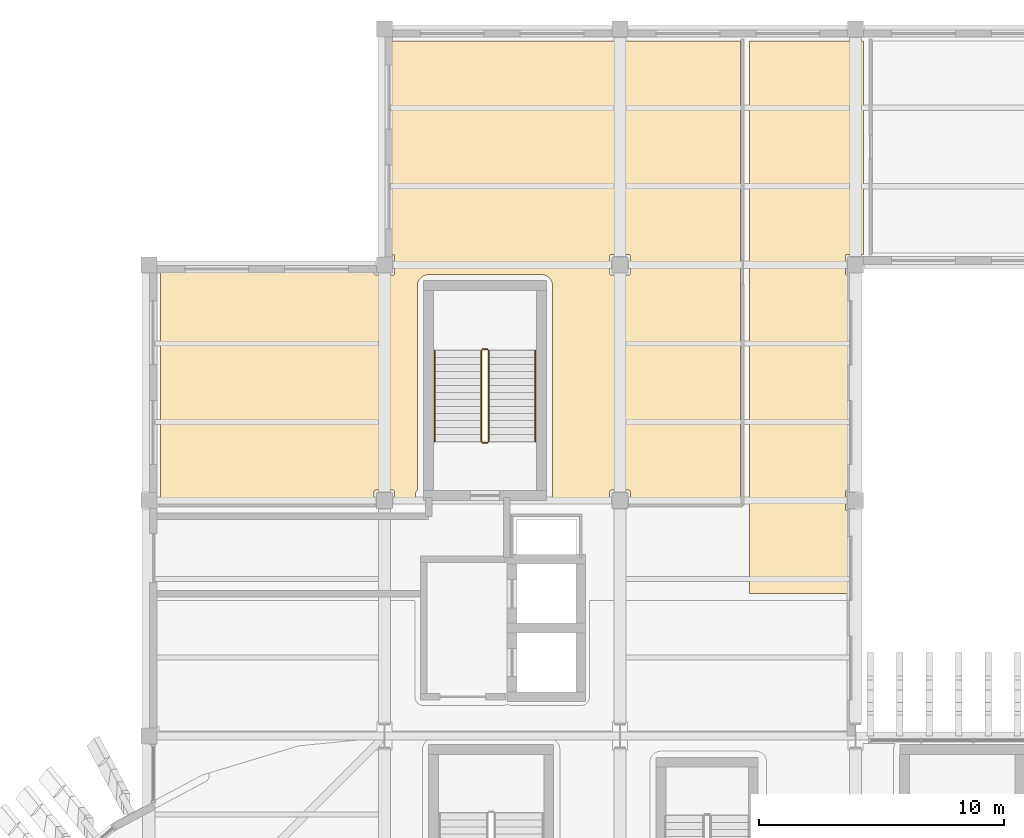
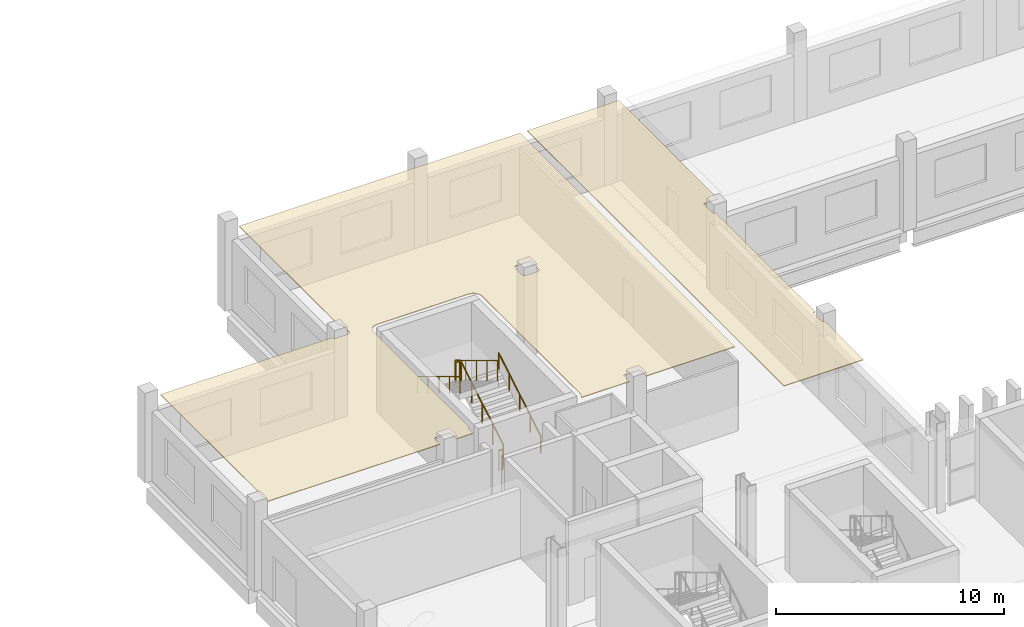
# One storey, part 98 of 100: 6 railings, 2 coverings.
"""IFC4 building model written with IfcOpenShell, lengths in metres."""

from ifc_helpers import new_model, si_unit, direction, frame, origin, origin_2d, place, context, subcontext, project, spatial, polyline, circle, outline, extrude, material, layer, layer_set, type_object, element, save


model = new_model("IFC4")

# Units and contexts
model_context = context("Model", 3, precision=1e-05, world=origin(), true_north=direction((0.0, 1.0)))
body_context = subcontext(model_context, "Body", "Model", "MODEL_VIEW")
ifc_project = project(units=[si_unit("LENGTHUNIT", "METRE"), si_unit("AREAUNIT", "SQUARE_METRE"), si_unit("VOLUMEUNIT", "CUBIC_METRE"), si_unit("PLANEANGLEUNIT", "RADIAN"), si_unit("MASSUNIT", "GRAM", prefix="KILO")], contexts=[model_context])

# Site, building, storey
site_placement = place(None, origin())
site = spatial("IfcSite", under=ifc_project, at=site_placement, CompositionType="ELEMENT")
building_placement = place(site_placement, origin())
building = spatial("IfcBuilding", under=site, at=building_placement, Name="Caelomonte Colonnade Arena", CompositionType="ELEMENT")
storey_placement = place(building_placement, origin())
storey = spatial("IfcBuildingStorey", under=building, at=storey_placement, Name="L00", CompositionType="ELEMENT", Elevation=0.0)

# Coverings
ifc_material_1 = material(Name="Perforated acoustic mineral-fibre ceiling")
ifc_layer = layer(ifc_material_1, 0.0400390625)
ifc_layer_set = layer_set([ifc_layer], Name="Perforated acoustic mineral-fibre ceiling")
covering_type = type_object("IfcCoveringType", Name="INT-CV-CEIL1", PredefinedType="CEILING", material=ifc_layer_set)
covering_1_placement = place(storey_placement, frame((0.0, 0.0, 4.419921875)))
element("IfcCovering", 1, at=covering_1_placement, inside=storey, type_object=covering_type, Name="L00 North-West Gallery Link acoustic ceiling", PredefinedType="CEILING", context=body_context, shape_type="SweptSolid", body=[
    extrude(outline(polyline([(95.659912109375, 134.820068359375), (96.320068359375, 134.820068359375), (96.320068359375, 143.52001953125), (91.679931640625, 143.52001953125), (91.679931640625, 121.0), (95.699951171875, 121.0), (95.699951171875, 124.3798828125), (95.659912109375, 124.3798828125), (95.652099609375, 124.38037109375), (95.644287109375, 124.381591796875), (95.63671875, 124.38330078125), (95.62939453125, 124.385986328125), (95.622314453125, 124.389404296875), (95.615478515625, 124.3935546875), (95.609130859375, 124.398193359375), (95.603515625, 124.4033203125), (95.59814453125, 124.4091796875), (95.593505859375, 124.41552734375), (95.58935546875, 124.42236328125), (95.586181640625, 124.429443359375), (95.58349609375, 124.436767578125), (95.58154296875, 124.4443359375), (95.580322265625, 124.4521484375), (95.580078125, 124.4599609375), (95.580078125, 125.139892578125), (95.580322265625, 125.147705078125), (95.58154296875, 125.155517578125), (95.58349609375, 125.1630859375), (95.586181640625, 125.170654296875), (95.58935546875, 125.177734375), (95.593505859375, 125.184326171875), (95.59814453125, 125.19091796875), (95.603515625, 125.196533203125), (95.609130859375, 125.201904296875), (95.615478515625, 125.20654296875), (95.622314453125, 125.210693359375), (95.62939453125, 125.2138671875), (95.63671875, 125.216552734375), (95.644287109375, 125.218505859375), (95.652099609375, 125.219482421875), (95.659912109375, 125.219970703125), (95.699951171875, 125.219970703125), (95.699951171875, 133.97998046875), (95.659912109375, 133.97998046875), (95.652099609375, 133.98046875), (95.644287109375, 133.9814453125), (95.63671875, 133.9833984375), (95.62939453125, 133.986083984375), (95.622314453125, 133.989501953125), (95.615478515625, 133.993408203125), (95.609130859375, 133.998291015625), (95.603515625, 134.00341796875), (95.59814453125, 134.00927734375), (95.593505859375, 134.015625), (95.58935546875, 134.022216796875), (95.586181640625, 134.029296875), (95.58349609375, 134.036865234375), (95.58154296875, 134.04443359375), (95.580322265625, 134.05224609375), (95.580078125, 134.06005859375), (95.580078125, 134.739990234375), (95.580322265625, 134.747802734375), (95.58154296875, 134.755615234375), (95.58349609375, 134.76318359375), (95.586181640625, 134.7705078125), (95.58935546875, 134.777587890625), (95.593505859375, 134.784423828125), (95.59814453125, 134.790771484375), (95.603515625, 134.796630859375), (95.609130859375, 134.8017578125), (95.615478515625, 134.806396484375), (95.622314453125, 134.810546875), (95.62939453125, 134.81396484375), (95.63671875, 134.816650390625), (95.644287109375, 134.818603515625), (95.652099609375, 134.819580078125), (95.659912109375, 134.820068359375)])), origin(), (0.0, 0.0, 1.0), 0.0400390625),
])
covering_2_placement = place(storey_placement, frame((0.0, 0.0, 4.419921875)))
element("IfcCovering", 2, at=covering_2_placement, inside=storey, type_object=covering_type, Name="L00 Community Room acoustic ceiling", PredefinedType="CEILING", context=body_context, shape_type="SweptSolid", body=[
    extrude(outline(polyline([(78.1396484375, 125.21875), (78.14990234375, 125.22998046875), (78.14990234375, 133.550048828125), (78.152099609375, 133.593994140625), (78.15869140625, 133.6376953125), (78.16943359375, 133.6806640625), (78.184326171875, 133.72216796875), (78.203125, 133.76220703125), (78.225830078125, 133.800048828125), (78.252197265625, 133.83544921875), (78.28173828125, 133.8681640625), (78.314453125, 133.89794921875), (78.35009765625, 133.92431640625), (78.387939453125, 133.947021484375), (78.427734375, 133.9658203125), (78.469482421875, 133.980712890625), (78.51220703125, 133.991455078125), (78.555908203125, 133.997802734375), (78.60009765625, 134.0), (83.199951171875, 134.0), (83.244140625, 133.997802734375), (83.287841796875, 133.991455078125), (83.33056640625, 133.980712890625), (83.372314453125, 133.9658203125), (83.412109375, 133.947021484375), (83.449951171875, 133.92431640625), (83.485595703125, 133.89794921875), (83.518310546875, 133.8681640625), (83.5478515625, 133.83544921875), (83.57421875, 133.800048828125), (83.596923828125, 133.76220703125), (83.61572265625, 133.72216796875), (83.630615234375, 133.6806640625), (83.641357421875, 133.6376953125), (83.647705078125, 133.593994140625), (83.64990234375, 133.550048828125), (83.64990234375, 125.0), (83.647705078125, 124.955810546875), (83.641357421875, 124.912109375), (83.630615234375, 124.869384765625), (83.61572265625, 124.827880859375), (83.596923828125, 124.787841796875), (83.57421875, 124.75), (83.5478515625, 124.714599609375), (83.518310546875, 124.681884765625), (83.51611328125, 124.679931640625), (85.97998046875, 124.679931640625), (85.97998046875, 125.139892578125), (85.98046875, 125.147705078125), (85.9814453125, 125.155517578125), (85.9833984375, 125.1630859375), (85.986083984375, 125.170654296875), (85.989501953125, 125.177734375), (85.993408203125, 125.184326171875), (85.998291015625, 125.19091796875), (86.00341796875, 125.196533203125), (86.00927734375, 125.201904296875), (86.015625, 125.20654296875), (86.022216796875, 125.210693359375), (86.029296875, 125.2138671875), (86.036865234375, 125.216552734375), (86.04443359375, 125.218505859375), (86.05224609375, 125.219482421875), (86.06005859375, 125.219970703125), (86.739990234375, 125.219970703125), (86.747802734375, 125.219482421875), (86.755615234375, 125.218505859375), (86.76318359375, 125.216552734375), (86.7705078125, 125.2138671875), (86.777587890625, 125.210693359375), (86.784423828125, 125.20654296875), (86.790771484375, 125.201904296875), (86.796630859375, 125.196533203125), (86.8017578125, 125.19091796875), (86.806396484375, 125.184326171875), (86.810546875, 125.177734375), (86.81396484375, 125.170654296875), (86.816650390625, 125.1630859375), (86.818603515625, 125.155517578125), (86.819580078125, 125.147705078125), (86.820068359375, 125.139892578125), (86.820068359375, 124.679931640625), (91.320068359375, 124.679931640625), (91.320068359375, 143.52001953125), (77.10009765625, 143.52001953125), (77.10009765625, 134.820068359375), (77.139892578125, 134.820068359375), (77.147705078125, 134.819580078125), (77.155517578125, 134.818603515625), (77.1630859375, 134.816650390625), (77.170654296875, 134.81396484375), (77.177734375, 134.810546875), (77.184326171875, 134.806396484375), (77.19091796875, 134.8017578125), (77.196533203125, 134.796630859375), (77.201904296875, 134.790771484375), (77.20654296875, 134.784423828125), (77.210693359375, 134.777587890625), (77.2138671875, 134.7705078125), (77.216552734375, 134.76318359375), (77.218505859375, 134.755615234375), (77.219482421875, 134.747802734375), (77.219970703125, 134.739990234375), (77.219970703125, 134.06005859375), (77.219482421875, 134.05224609375), (77.218505859375, 134.04443359375), (77.216552734375, 134.036865234375), (77.2138671875, 134.029296875), (77.210693359375, 134.022216796875), (77.20654296875, 134.015625), (77.201904296875, 134.00927734375), (77.196533203125, 134.00341796875), (77.19091796875, 133.998291015625), (77.184326171875, 133.993408203125), (77.177734375, 133.989501953125), (77.170654296875, 133.986083984375), (77.1630859375, 133.9833984375), (77.155517578125, 133.9814453125), (77.147705078125, 133.98046875), (77.139892578125, 133.97998046875), (76.4599609375, 133.97998046875), (76.4521484375, 133.98046875), (76.4443359375, 133.9814453125), (76.436767578125, 133.9833984375), (76.429443359375, 133.986083984375), (76.42236328125, 133.989501953125), (76.41552734375, 133.993408203125), (76.4091796875, 133.998291015625), (76.4033203125, 134.00341796875), (76.398193359375, 134.00927734375), (76.3935546875, 134.015625), (76.389404296875, 134.022216796875), (76.385986328125, 134.029296875), (76.38330078125, 134.036865234375), (76.381591796875, 134.04443359375), (76.38037109375, 134.05224609375), (76.3798828125, 134.06005859375), (76.3798828125, 134.10009765625), (67.679931640625, 134.10009765625), (67.679931640625, 124.679931640625), (76.3798828125, 124.679931640625), (76.3798828125, 125.139892578125), (76.38037109375, 125.147705078125), (76.381591796875, 125.155517578125), (76.38330078125, 125.1630859375), (76.385986328125, 125.170654296875), (76.389404296875, 125.177734375), (76.3935546875, 125.184326171875), (76.398193359375, 125.19091796875), (76.4033203125, 125.196533203125), (76.4091796875, 125.201904296875), (76.41552734375, 125.20654296875), (76.42236328125, 125.210693359375), (76.429443359375, 125.2138671875), (76.436767578125, 125.216552734375), (76.4443359375, 125.218505859375), (76.4521484375, 125.219482421875), (76.4599609375, 125.219970703125), (77.139892578125, 125.219970703125), (77.147705078125, 125.219482421875), (77.155517578125, 125.218505859375), (77.1630859375, 125.216552734375), (77.170654296875, 125.2138671875), (77.177734375, 125.210693359375), (77.184326171875, 125.20654296875), (77.19091796875, 125.201904296875), (77.196533203125, 125.196533203125), (77.201904296875, 125.19091796875), (77.20654296875, 125.184326171875), (77.210693359375, 125.177734375), (77.2138671875, 125.170654296875), (77.216552734375, 125.1630859375), (77.218505859375, 125.155517578125), (77.219482421875, 125.147705078125), (77.219970703125, 125.139892578125), (77.219970703125, 124.679931640625), (78.06005859375, 124.679931640625), (78.06005859375, 125.0), (78.06005859375, 125.00390625), (78.061279296875, 125.029296875), (78.06201171875, 125.037109375), (78.06591796875, 125.0625), (78.0673828125, 125.0703125), (78.073486328125, 125.094970703125), (78.075927734375, 125.102294921875), (78.08447265625, 125.12646484375), (78.08740234375, 125.1337890625), (78.098388671875, 125.15673828125), (78.10205078125, 125.163818359375), (78.115234375, 125.185546875), (78.11962890625, 125.192138671875), (78.134765625, 125.212646484375), (78.1396484375, 125.21875)]), holes=[polyline([(85.98046875, 134.05224609375), (85.97998046875, 134.06005859375), (85.97998046875, 134.739990234375), (85.98046875, 134.747802734375), (85.9814453125, 134.755615234375), (85.9833984375, 134.76318359375), (85.986083984375, 134.7705078125), (85.989501953125, 134.777587890625), (85.993408203125, 134.784423828125), (85.998291015625, 134.790771484375), (86.00341796875, 134.796630859375), (86.00927734375, 134.8017578125), (86.015625, 134.806396484375), (86.022216796875, 134.810546875), (86.029296875, 134.81396484375), (86.036865234375, 134.816650390625), (86.04443359375, 134.818603515625), (86.05224609375, 134.819580078125), (86.06005859375, 134.820068359375), (86.739990234375, 134.820068359375), (86.747802734375, 134.819580078125), (86.755615234375, 134.818603515625), (86.76318359375, 134.816650390625), (86.7705078125, 134.81396484375), (86.777587890625, 134.810546875), (86.784423828125, 134.806396484375), (86.790771484375, 134.8017578125), (86.796630859375, 134.796630859375), (86.8017578125, 134.790771484375), (86.806396484375, 134.784423828125), (86.810546875, 134.777587890625), (86.81396484375, 134.7705078125), (86.816650390625, 134.76318359375), (86.818603515625, 134.755615234375), (86.819580078125, 134.747802734375), (86.820068359375, 134.739990234375), (86.820068359375, 134.06005859375), (86.819580078125, 134.05224609375), (86.818603515625, 134.04443359375), (86.816650390625, 134.036865234375), (86.81396484375, 134.029296875), (86.810546875, 134.022216796875), (86.806396484375, 134.015625), (86.8017578125, 134.00927734375), (86.796630859375, 134.00341796875), (86.790771484375, 133.998291015625), (86.784423828125, 133.993408203125), (86.777587890625, 133.989501953125), (86.7705078125, 133.986083984375), (86.76318359375, 133.9833984375), (86.755615234375, 133.9814453125), (86.747802734375, 133.98046875), (86.739990234375, 133.97998046875), (86.06005859375, 133.97998046875), (86.05224609375, 133.98046875), (86.04443359375, 133.9814453125), (86.036865234375, 133.9833984375), (86.029296875, 133.986083984375), (86.022216796875, 133.989501953125), (86.015625, 133.993408203125), (86.00927734375, 133.998291015625), (86.00341796875, 134.00341796875), (85.998291015625, 134.00927734375), (85.993408203125, 134.015625), (85.989501953125, 134.022216796875), (85.986083984375, 134.029296875), (85.9833984375, 134.036865234375), (85.9814453125, 134.04443359375), (85.98046875, 134.05224609375)])]), origin(), (0.0, 0.0, 1.0), 0.0400390625),
])

# Railings
ifc_material_2 = material(Name="Painted galvanized steel stair guard", Category="steel")
railing_type_1 = type_object("IfcRailingType", Name="INT-RL-GRD", PredefinedType="GUARDRAIL", material=ifc_material_2)
railing_1_placement = place(storey_placement, frame((81.050048828125, 127.199951171875, 0.17138671875)))
element("IfcRailing", 3, at=railing_1_placement, inside=storey, type_object=railing_type_1, Name="L00 ST-07 stair guard 1", PredefinedType="GUARDRAIL", context=body_context, shape_type="SweptSolid", body=[
    extrude(circle(Radius=0.02392578125, at=origin_2d()), frame((0.0, 0.0, 1.076171875), z_axis=(0.0, 0.856934400257, 0.515425487977), x_axis=(-1.0, 0.0, 0.0)), (0.0, 0.0, 1.0), 4.32373046875),
    extrude(circle(Radius=0.02099609375, at=origin_2d()), origin(), (0.0, 0.0, 1.0), 1.048095703125),
    extrude(circle(Radius=0.02099609375, at=origin_2d()), frame((0.0, 0.92626953125, 0.55712890625)), (0.0, 0.0, 1.0), 1.048095703125),
    extrude(circle(Radius=0.02099609375, at=origin_2d()), frame((0.0, 1.8525390625, 1.1142578125)), (0.0, 0.0, 1.0), 1.048095703125),
    extrude(circle(Radius=0.02099609375, at=origin_2d()), frame((0.0, 2.77880859375, 1.67138671875)), (0.0, 0.0, 1.0), 1.048095703125),
    extrude(circle(Radius=0.02099609375, at=origin_2d()), frame((0.0, 3.705078125, 2.228515625)), (0.0, 0.0, 1.0), 1.048095703125),
])
railing_2_placement = place(storey_placement, frame((81.0, 130.955078125, 2.39990234375)))
element("IfcRailing", 4, at=railing_2_placement, inside=storey, type_object=railing_type_1, Name="L00 ST-07 stair guard 2", PredefinedType="GUARDRAIL", context=body_context, shape_type="SweptSolid", body=[
    extrude(circle(Radius=0.02392578125, at=origin_2d()), frame((0.0, 0.0, 1.076171875), z_axis=(-1.0, 0.0, 0.0), x_axis=(0.0, -1.0, 0.0)), (0.0, 0.0, 1.0), 0.199951171875),
    extrude(circle(Radius=0.02099609375, at=origin_2d()), origin(), (0.0, 0.0, 1.0), 1.048095703125),
    extrude(circle(Radius=0.02099609375, at=origin_2d()), frame((-0.199951171875, 0.0, 0.0)), (0.0, 0.0, 1.0), 1.048095703125),
])
railing_3_placement = place(storey_placement, frame((80.75, 130.905029296875, 2.571533203125)))
element("IfcRailing", 5, at=railing_3_placement, inside=storey, type_object=railing_type_1, Name="L00 ST-07 stair guard 3", PredefinedType="GUARDRAIL", context=body_context, shape_type="SweptSolid", body=[
    extrude(circle(Radius=0.02392578125, at=origin_2d()), frame((0.0, 0.0, 1.076171875), z_axis=(0.0, -0.856934400257, 0.515425487977), x_axis=(1.0, 0.0, 0.0)), (0.0, 0.0, 1.0), 4.32373046875),
    extrude(circle(Radius=0.02099609375, at=origin_2d()), origin(), (0.0, 0.0, 1.0), 1.048095703125),
    extrude(circle(Radius=0.02099609375, at=origin_2d()), frame((0.0, -0.92626953125, 0.55712890625)), (0.0, 0.0, 1.0), 1.048095703125),
    extrude(circle(Radius=0.02099609375, at=origin_2d()), frame((0.0, -1.8525390625, 1.1142578125)), (0.0, 0.0, 1.0), 1.048095703125),
    extrude(circle(Radius=0.02099609375, at=origin_2d()), frame((0.0, -2.77880859375, 1.67138671875)), (0.0, 0.0, 1.0), 1.048095703125),
    extrude(circle(Radius=0.02099609375, at=origin_2d()), frame((0.0, -3.705078125, 2.228515625)), (0.0, 0.0, 1.0), 1.048095703125),
])
railing_4_placement = place(storey_placement, frame((81.0, 127.14990234375, 0.0)))
element("IfcRailing", 6, at=railing_4_placement, inside=storey, type_object=railing_type_1, Name="L00 ST-07 stair guard 4", PredefinedType="GUARDRAIL", context=body_context, shape_type="SweptSolid", body=[
    extrude(circle(Radius=0.02392578125, at=origin_2d()), frame((0.0, 0.0, 1.076171875), z_axis=(-1.0, 0.0, 0.0), x_axis=(0.0, -1.0, 0.0)), (0.0, 0.0, 1.0), 0.199951171875),
    extrude(circle(Radius=0.02099609375, at=origin_2d()), origin(), (0.0, 0.0, 1.0), 1.048095703125),
    extrude(circle(Radius=0.02099609375, at=origin_2d()), frame((-0.199951171875, 0.0, 0.0)), (0.0, 0.0, 1.0), 1.048095703125),
])
ifc_material_3 = material(Name="Brushed stainless steel stair handrail", Category="steel")
railing_type_2 = type_object("IfcRailingType", Name="INT-RL-HR", PredefinedType="HANDRAIL", material=ifc_material_3)
railing_5_placement = place(storey_placement, frame((82.949951171875, 127.199951171875, 0.17138671875)))
element("IfcRailing", 7, at=railing_5_placement, inside=storey, type_object=railing_type_2, Name="L00 ST-07 stair handrail 1", PredefinedType="HANDRAIL", context=body_context, shape_type="SweptSolid", body=[
    extrude(circle(Radius=0.02392578125, at=origin_2d()), frame((0.0, 0.0, 0.8759765625), z_axis=(0.0, 0.856934400257, 0.515425487977), x_axis=(-1.0, 0.0, 0.0)), (0.0, 0.0, 1.0), 4.32373046875),
    extrude(circle(Radius=0.02099609375, at=origin_2d()), origin(), (0.0, 0.0, 1.0), 0.847900390625),
    extrude(circle(Radius=0.02099609375, at=origin_2d()), frame((0.0, 0.92626953125, 0.55712890625)), (0.0, 0.0, 1.0), 0.847900390625),
    extrude(circle(Radius=0.02099609375, at=origin_2d()), frame((0.0, 1.8525390625, 1.1142578125)), (0.0, 0.0, 1.0), 0.847900390625),
    extrude(circle(Radius=0.02099609375, at=origin_2d()), frame((0.0, 2.77880859375, 1.67138671875)), (0.0, 0.0, 1.0), 0.847900390625),
    extrude(circle(Radius=0.02099609375, at=origin_2d()), frame((0.0, 3.705078125, 2.228515625)), (0.0, 0.0, 1.0), 0.847900390625),
])
railing_6_placement = place(storey_placement, frame((78.85009765625, 130.905029296875, 2.571533203125)))
element("IfcRailing", 8, at=railing_6_placement, inside=storey, type_object=railing_type_2, Name="L00 ST-07 stair handrail 2", PredefinedType="HANDRAIL", context=body_context, shape_type="SweptSolid", body=[
    extrude(circle(Radius=0.02392578125, at=origin_2d()), frame((0.0, 0.0, 0.8759765625), z_axis=(0.0, -0.856934400257, 0.515425487977), x_axis=(1.0, 0.0, 0.0)), (0.0, 0.0, 1.0), 4.32373046875),
    extrude(circle(Radius=0.02099609375, at=origin_2d()), origin(), (0.0, 0.0, 1.0), 0.847900390625),
    extrude(circle(Radius=0.02099609375, at=origin_2d()), frame((0.0, -0.92626953125, 0.55712890625)), (0.0, 0.0, 1.0), 0.847900390625),
    extrude(circle(Radius=0.02099609375, at=origin_2d()), frame((0.0, -1.8525390625, 1.1142578125)), (0.0, 0.0, 1.0), 0.847900390625),
    extrude(circle(Radius=0.02099609375, at=origin_2d()), frame((0.0, -2.77880859375, 1.67138671875)), (0.0, 0.0, 1.0), 0.847900390625),
    extrude(circle(Radius=0.02099609375, at=origin_2d()), frame((0.0, -3.705078125, 2.228515625)), (0.0, 0.0, 1.0), 0.847900390625),
])

save(model, "model.ifc")
